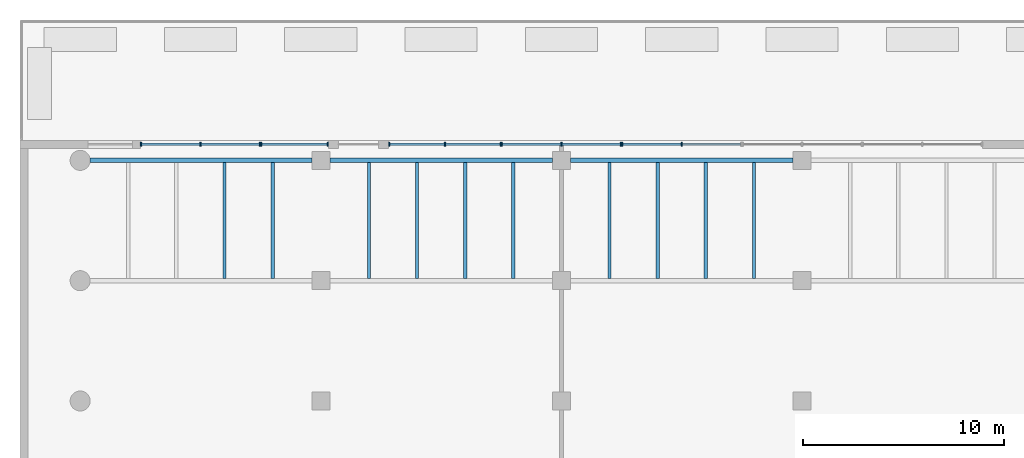
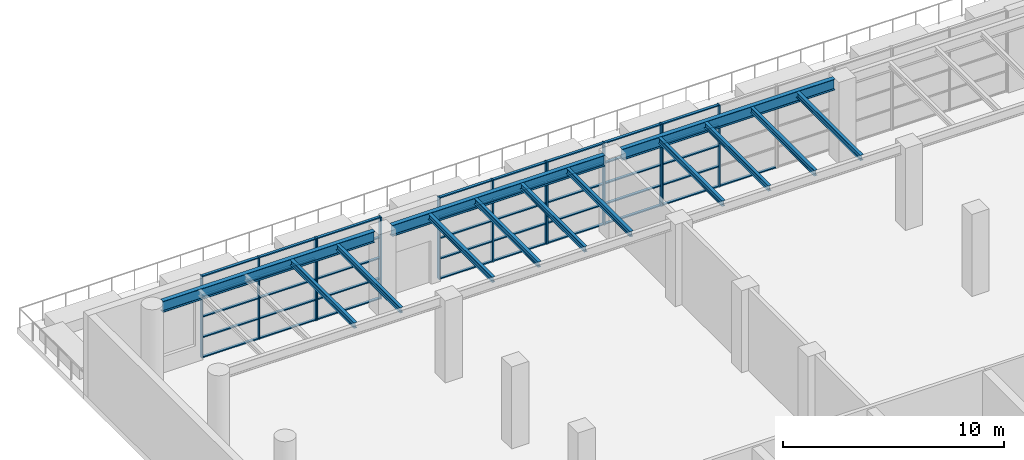
# One storey, part 2 of 20: 54 members, 13 beams, 5 elements without a shape of their own.
"""IFC4 building model written with IfcOpenShell, lengths in metres."""

from ifc_helpers import new_model, si_unit, direction, frame, origin, origin_2d, place, context, subcontext, project, spatial, rectangle, i_section, extrude, source, transform, mapped, material, layer, layer_set, material_profile, profile_set, type_object, element, aggregate, save


model = new_model("IFC4")

# Units and contexts
model_context = context("Model", 3, precision=1e-05, world=origin(), true_north=direction((0.0, 1.0)))
body_context = subcontext(model_context, "Body", "Model", "MODEL_VIEW")
ifc_project = project(units=[si_unit("LENGTHUNIT", "METRE"), si_unit("AREAUNIT", "SQUARE_METRE"), si_unit("VOLUMEUNIT", "CUBIC_METRE"), si_unit("PLANEANGLEUNIT", "RADIAN"), si_unit("MASSUNIT", "GRAM", prefix="KILO")], contexts=[model_context])

# Site, building, storey
site_placement = place(None, origin())
site = spatial("IfcSite", under=ifc_project, at=site_placement, CompositionType="ELEMENT")
building_placement = place(site_placement, origin())
building = spatial("IfcBuilding", under=site, at=building_placement, Name="Poui Terraces", CompositionType="ELEMENT")
storey_placement = place(building_placement, frame((0.0, 0.0, 6.0)))
storey = spatial("IfcBuildingStorey", under=building, at=storey_placement, Name="L01", CompositionType="ELEMENT", Elevation=6.0)

# Curtain wall, members
ifc_material_1 = material(Name="Clear glass", Category="glass")
ifc_layer = layer(ifc_material_1, 0.199951171875)
ifc_layer_set = layer_set([ifc_layer], Name="Clear glass")
curtain_wall_type = type_object("IfcCurtainWallType", Name="CURTAIN WALL CW-A HEALTH CENTRE FRONTAGE", PredefinedType="NOTDEFINED", material=ifc_layer_set)
curtain_wall_1_placement = place(storey_placement, origin())
curtain_wall_1 = element("IfcCurtainWall", 1, at=curtain_wall_1_placement, inside=storey, type_object=curtain_wall_type, Name="CW-A HEALTH CENTRE FRONTAGE", PredefinedType="NOTDEFINED")
ifc_material_2 = material(Name="Aluminium frame", Category="aluminium")
ifc_material_profile_1 = material_profile(ifc_material_2, rectangle(XDim=0.199951171875, YDim=0.06005859375, at=origin_2d()), Name="CW-A MULLION 60X200")
ifc_profile_set_1 = profile_set([ifc_material_profile_1], Name="Aluminium frame")
member_type_1 = type_object("IfcMemberType", Name="CW-A MULLION 60X200", PredefinedType="MULLION", material=ifc_profile_set_1)
member_1_placement = place(storey_placement, frame((8.969970703125, 68.800048828125, 0.0), z_axis=(0.0, 0.0, 1.0), x_axis=(0.0, -1.0, 0.0)))
member_1 = element("IfcMember", 2, at=member_1_placement, type_object=member_type_1, Name="CW-A mullion 1", PredefinedType="MULLION", context=body_context, shape_type="SweptSolid", body=[
    extrude(rectangle(XDim=0.199951171875, YDim=0.06005859375, at=origin_2d()), origin(), (0.0, 0.0, 1.0), 4.52001953125),
])
member_2_placement = place(storey_placement, frame((6.0, 68.800048828125, 0.0), z_axis=(0.0, 0.0, 1.0), x_axis=(0.0, -1.0, 0.0)))
member_2 = element("IfcMember", 3, at=member_2_placement, type_object=member_type_1, Name="CW-A mullion 2", PredefinedType="MULLION", context=body_context, shape_type="SweptSolid", body=[
    extrude(rectangle(XDim=0.199951171875, YDim=0.06005859375, at=origin_2d()), origin(), (0.0, 0.0, 1.0), 4.52001953125),
])
member_3_placement = place(storey_placement, frame((3.030029296875, 68.800048828125, 0.0), z_axis=(0.0, 0.0, 1.0), x_axis=(0.0, -1.0, 0.0)))
member_3 = element("IfcMember", 4, at=member_3_placement, type_object=member_type_1, Name="CW-A mullion 3", PredefinedType="MULLION", context=body_context, shape_type="SweptSolid", body=[
    extrude(rectangle(XDim=0.199951171875, YDim=0.06005859375, at=origin_2d()), origin(), (0.0, 0.0, 1.0), 4.52001953125),
])

curtain_wall_2_placement = place(storey_placement, origin())
curtain_wall_2 = element("IfcCurtainWall", 5, at=curtain_wall_2_placement, inside=storey, type_object=curtain_wall_type, Name="CW-A HEALTH CENTRE FRONTAGE", PredefinedType="NOTDEFINED")
member_4_placement = place(storey_placement, frame((12.35009765625, 68.800048828125, 0.0), z_axis=(0.0, 0.0, 1.0), x_axis=(0.0, -1.0, 0.0)))
member_4 = element("IfcMember", 6, at=member_4_placement, type_object=member_type_1, Name="CW-A mullion 1", PredefinedType="MULLION", context=body_context, shape_type="SweptSolid", body=[
    extrude(rectangle(XDim=0.199951171875, YDim=0.06005859375, at=origin_2d()), origin(), (0.0, 0.0, 1.0), 4.52001953125),
])
member_5_placement = place(storey_placement, frame((9.030029296875, 68.800048828125, 0.0), z_axis=(0.0, 0.0, 1.0), x_axis=(0.0, -1.0, 0.0)))
member_5 = element("IfcMember", 7, at=member_5_placement, type_object=member_type_1, Name="CW-A mullion 2", PredefinedType="MULLION", context=body_context, shape_type="SweptSolid", body=[
    extrude(rectangle(XDim=0.199951171875, YDim=0.06005859375, at=origin_2d()), origin(), (0.0, 0.0, 1.0), 4.52001953125),
])

curtain_wall_3_placement = place(storey_placement, origin())
curtain_wall_3 = element("IfcCurtainWall", 8, at=curtain_wall_3_placement, inside=storey, type_object=curtain_wall_type, Name="CW-A HEALTH CENTRE FRONTAGE", PredefinedType="NOTDEFINED")
member_6_placement = place(storey_placement, frame((20.969970703125, 68.800048828125, 0.0), z_axis=(0.0, 0.0, 1.0), x_axis=(0.0, -1.0, 0.0)))
member_6 = element("IfcMember", 9, at=member_6_placement, type_object=member_type_1, Name="CW-A mullion 1", PredefinedType="MULLION", context=body_context, shape_type="SweptSolid", body=[
    extrude(rectangle(XDim=0.199951171875, YDim=0.06005859375, at=origin_2d()), origin(), (0.0, 0.0, 1.0), 4.52001953125),
])
member_7_placement = place(storey_placement, frame((18.18994140625, 68.800048828125, 0.0), z_axis=(0.0, 0.0, 1.0), x_axis=(0.0, -1.0, 0.0)))
member_7 = element("IfcMember", 10, at=member_7_placement, type_object=member_type_1, Name="CW-A mullion 2", PredefinedType="MULLION", context=body_context, shape_type="SweptSolid", body=[
    extrude(rectangle(XDim=0.199951171875, YDim=0.06005859375, at=origin_2d()), origin(), (0.0, 0.0, 1.0), 4.52001953125),
])
member_8_placement = place(storey_placement, frame((15.409912109375, 68.800048828125, 0.0), z_axis=(0.0, 0.0, 1.0), x_axis=(0.0, -1.0, 0.0)))
member_8 = element("IfcMember", 11, at=member_8_placement, type_object=member_type_1, Name="CW-A mullion 3", PredefinedType="MULLION", context=body_context, shape_type="SweptSolid", body=[
    extrude(rectangle(XDim=0.199951171875, YDim=0.06005859375, at=origin_2d()), origin(), (0.0, 0.0, 1.0), 4.52001953125),
])

curtain_wall_4_placement = place(storey_placement, origin())
curtain_wall_4 = element("IfcCurtainWall", 12, at=curtain_wall_4_placement, inside=storey, type_object=curtain_wall_type, Name="CW-A HEALTH CENTRE FRONTAGE", PredefinedType="NOTDEFINED")
member_9_placement = place(storey_placement, frame((26.969970703125, 68.800048828125, 0.0), z_axis=(0.0, 0.0, 1.0), x_axis=(0.0, -1.0, 0.0)))
member_9 = element("IfcMember", 13, at=member_9_placement, type_object=member_type_1, Name="CW-A mullion 1", PredefinedType="MULLION", context=body_context, shape_type="SweptSolid", body=[
    extrude(rectangle(XDim=0.199951171875, YDim=0.06005859375, at=origin_2d()), origin(), (0.0, 0.0, 1.0), 4.52001953125),
])
member_10_placement = place(storey_placement, frame((24.0, 68.800048828125, 0.0), z_axis=(0.0, 0.0, 1.0), x_axis=(0.0, -1.0, 0.0)))
member_10 = element("IfcMember", 14, at=member_10_placement, type_object=member_type_1, Name="CW-A mullion 2", PredefinedType="MULLION", context=body_context, shape_type="SweptSolid", body=[
    extrude(rectangle(XDim=0.199951171875, YDim=0.06005859375, at=origin_2d()), origin(), (0.0, 0.0, 1.0), 4.52001953125),
])
member_11_placement = place(storey_placement, frame((21.030029296875, 68.800048828125, 0.0), z_axis=(0.0, 0.0, 1.0), x_axis=(0.0, -1.0, 0.0)))
member_11 = element("IfcMember", 15, at=member_11_placement, type_object=member_type_1, Name="CW-A mullion 3", PredefinedType="MULLION", context=body_context, shape_type="SweptSolid", body=[
    extrude(rectangle(XDim=0.199951171875, YDim=0.06005859375, at=origin_2d()), origin(), (0.0, 0.0, 1.0), 4.52001953125),
])

curtain_wall_5_placement = place(storey_placement, origin())
curtain_wall_5 = element("IfcCurtainWall", 16, at=curtain_wall_5_placement, inside=storey, type_object=curtain_wall_type, Name="CW-A HEALTH CENTRE FRONTAGE", PredefinedType="NOTDEFINED")
member_12_placement = place(storey_placement, frame((30.0, 68.800048828125, 0.0), z_axis=(0.0, 0.0, 1.0), x_axis=(0.0, -1.0, 0.0)))
member_12 = element("IfcMember", 17, at=member_12_placement, type_object=member_type_1, Name="CW-A mullion 2", PredefinedType="MULLION", context=body_context, shape_type="SweptSolid", body=[
    extrude(rectangle(XDim=0.199951171875, YDim=0.06005859375, at=origin_2d()), origin(), (0.0, 0.0, 1.0), 4.52001953125),
])
member_13_placement = place(storey_placement, frame((27.030029296875, 68.800048828125, 0.0), z_axis=(0.0, 0.0, 1.0), x_axis=(0.0, -1.0, 0.0)))
member_13 = element("IfcMember", 18, at=member_13_placement, type_object=member_type_1, Name="CW-A mullion 3", PredefinedType="MULLION", context=body_context, shape_type="SweptSolid", body=[
    extrude(rectangle(XDim=0.199951171875, YDim=0.06005859375, at=origin_2d()), origin(), (0.0, 0.0, 1.0), 4.52001953125),
])

# Member
ifc_material_profile_2 = material_profile(ifc_material_2, rectangle(XDim=0.139892578125, YDim=0.06005859375, at=origin_2d()), Name="CW-A TRANSOM 60X140")
ifc_profile_set_2 = profile_set([ifc_material_profile_2], Name="Aluminium frame")
member_type_2 = type_object("IfcMemberType", Name="CW-A TRANSOM 60X140", PredefinedType="USERDEFINED", material=ifc_profile_set_2)
member_14_placement = place(storey_placement, frame((8.93994140625, 68.800048828125, 0.030029296875), z_axis=(-1.0, 0.0, 0.0), x_axis=(0.0, -1.0, 0.0)))
member_14 = element("IfcMember", 19, at=member_14_placement, type_object=member_type_2, Name="CW-A transom 1.1", ObjectType="TRANSOM", PredefinedType="USERDEFINED", context=body_context, shape_type="SweptSolid", body=[
    extrude(rectangle(XDim=0.139892578125, YDim=0.06005859375, at=origin_2d()), origin(), (0.0, 0.0, 1.0), 2.909912109375),
])

member_15_placement = place(storey_placement, frame((8.93994140625, 68.800048828125, 1.1298828125), z_axis=(-1.0, 0.0, 0.0), x_axis=(0.0, -1.0, 0.0)))
member_15 = element("IfcMember", 20, at=member_15_placement, type_object=member_type_2, Name="CW-A transom 1.2", ObjectType="TRANSOM", PredefinedType="USERDEFINED", context=body_context, shape_type="SweptSolid", body=[
    extrude(rectangle(XDim=0.139892578125, YDim=0.06005859375, at=origin_2d()), origin(), (0.0, 0.0, 1.0), 2.909912109375),
])

member_16_placement = place(storey_placement, frame((8.93994140625, 68.800048828125, 2.260009765625), z_axis=(-1.0, 0.0, 0.0), x_axis=(0.0, -1.0, 0.0)))
member_16 = element("IfcMember", 21, at=member_16_placement, type_object=member_type_2, Name="CW-A transom 1.3", ObjectType="TRANSOM", PredefinedType="USERDEFINED", context=body_context, shape_type="SweptSolid", body=[
    extrude(rectangle(XDim=0.139892578125, YDim=0.06005859375, at=origin_2d()), origin(), (0.0, 0.0, 1.0), 2.909912109375),
])

member_17_placement = place(storey_placement, frame((8.93994140625, 68.800048828125, 3.389892578125), z_axis=(-1.0, 0.0, 0.0), x_axis=(0.0, -1.0, 0.0)))
member_17 = element("IfcMember", 22, at=member_17_placement, type_object=member_type_2, Name="CW-A transom 1.4", ObjectType="TRANSOM", PredefinedType="USERDEFINED", context=body_context, shape_type="SweptSolid", body=[
    extrude(rectangle(XDim=0.139892578125, YDim=0.06005859375, at=origin_2d()), origin(), (0.0, 0.0, 1.0), 2.909912109375),
])

member_18_placement = place(storey_placement, frame((8.93994140625, 68.800048828125, 4.489990234375), z_axis=(-1.0, 0.0, 0.0), x_axis=(0.0, -1.0, 0.0)))
member_18 = element("IfcMember", 23, at=member_18_placement, type_object=member_type_2, Name="CW-A transom 1.5", ObjectType="TRANSOM", PredefinedType="USERDEFINED", context=body_context, shape_type="SweptSolid", body=[
    extrude(rectangle(XDim=0.139892578125, YDim=0.06005859375, at=origin_2d()), origin(), (0.0, 0.0, 1.0), 2.909912109375),
])

member_19_placement = place(storey_placement, frame((5.969970703125, 68.800048828125, 0.030029296875), z_axis=(-1.0, 0.0, 0.0), x_axis=(0.0, -1.0, 0.0)))
member_19 = element("IfcMember", 24, at=member_19_placement, type_object=member_type_2, Name="CW-A transom 2.1", ObjectType="TRANSOM", PredefinedType="USERDEFINED", context=body_context, shape_type="SweptSolid", body=[
    extrude(rectangle(XDim=0.139892578125, YDim=0.06005859375, at=origin_2d()), origin(), (0.0, 0.0, 1.0), 2.909912109375),
])

member_20_placement = place(storey_placement, frame((5.969970703125, 68.800048828125, 1.1298828125), z_axis=(-1.0, 0.0, 0.0), x_axis=(0.0, -1.0, 0.0)))
member_20 = element("IfcMember", 25, at=member_20_placement, type_object=member_type_2, Name="CW-A transom 2.2", ObjectType="TRANSOM", PredefinedType="USERDEFINED", context=body_context, shape_type="SweptSolid", body=[
    extrude(rectangle(XDim=0.139892578125, YDim=0.06005859375, at=origin_2d()), origin(), (0.0, 0.0, 1.0), 2.909912109375),
])

member_21_placement = place(storey_placement, frame((5.969970703125, 68.800048828125, 2.260009765625), z_axis=(-1.0, 0.0, 0.0), x_axis=(0.0, -1.0, 0.0)))
member_21 = element("IfcMember", 26, at=member_21_placement, type_object=member_type_2, Name="CW-A transom 2.3", ObjectType="TRANSOM", PredefinedType="USERDEFINED", context=body_context, shape_type="SweptSolid", body=[
    extrude(rectangle(XDim=0.139892578125, YDim=0.06005859375, at=origin_2d()), origin(), (0.0, 0.0, 1.0), 2.909912109375),
])

member_22_placement = place(storey_placement, frame((5.969970703125, 68.800048828125, 3.389892578125), z_axis=(-1.0, 0.0, 0.0), x_axis=(0.0, -1.0, 0.0)))
member_22 = element("IfcMember", 27, at=member_22_placement, type_object=member_type_2, Name="CW-A transom 2.4", ObjectType="TRANSOM", PredefinedType="USERDEFINED", context=body_context, shape_type="SweptSolid", body=[
    extrude(rectangle(XDim=0.139892578125, YDim=0.06005859375, at=origin_2d()), origin(), (0.0, 0.0, 1.0), 2.909912109375),
])

member_23_placement = place(storey_placement, frame((5.969970703125, 68.800048828125, 4.489990234375), z_axis=(-1.0, 0.0, 0.0), x_axis=(0.0, -1.0, 0.0)))
member_23 = element("IfcMember", 28, at=member_23_placement, type_object=member_type_2, Name="CW-A transom 2.5", ObjectType="TRANSOM", PredefinedType="USERDEFINED", context=body_context, shape_type="SweptSolid", body=[
    extrude(rectangle(XDim=0.139892578125, YDim=0.06005859375, at=origin_2d()), origin(), (0.0, 0.0, 1.0), 2.909912109375),
])

aggregate(curtain_wall_1, [member_1, member_2, member_3, member_14, member_15, member_16, member_17, member_18, member_19, member_20, member_21, member_22, member_23])

member_24_placement = place(storey_placement, frame((12.320068359375, 68.800048828125, 0.030029296875), z_axis=(-1.0, 0.0, 0.0), x_axis=(0.0, -1.0, 0.0)))
member_24 = element("IfcMember", 29, at=member_24_placement, type_object=member_type_2, Name="CW-A transom 1.1", ObjectType="TRANSOM", PredefinedType="USERDEFINED", context=body_context, shape_type="SweptSolid", body=[
    extrude(rectangle(XDim=0.139892578125, YDim=0.06005859375, at=origin_2d()), origin(), (0.0, 0.0, 1.0), 3.260009765625),
])

member_25_placement = place(storey_placement, frame((12.320068359375, 68.800048828125, 1.1298828125), z_axis=(-1.0, 0.0, 0.0), x_axis=(0.0, -1.0, 0.0)))
member_25 = element("IfcMember", 30, at=member_25_placement, type_object=member_type_2, Name="CW-A transom 1.2", ObjectType="TRANSOM", PredefinedType="USERDEFINED", context=body_context, shape_type="SweptSolid", body=[
    extrude(rectangle(XDim=0.139892578125, YDim=0.06005859375, at=origin_2d()), origin(), (0.0, 0.0, 1.0), 3.260009765625),
])

member_26_placement = place(storey_placement, frame((12.320068359375, 68.800048828125, 2.260009765625), z_axis=(-1.0, 0.0, 0.0), x_axis=(0.0, -1.0, 0.0)))
member_26 = element("IfcMember", 31, at=member_26_placement, type_object=member_type_2, Name="CW-A transom 1.3", ObjectType="TRANSOM", PredefinedType="USERDEFINED", context=body_context, shape_type="SweptSolid", body=[
    extrude(rectangle(XDim=0.139892578125, YDim=0.06005859375, at=origin_2d()), origin(), (0.0, 0.0, 1.0), 3.260009765625),
])

member_27_placement = place(storey_placement, frame((12.320068359375, 68.800048828125, 3.389892578125), z_axis=(-1.0, 0.0, 0.0), x_axis=(0.0, -1.0, 0.0)))
member_27 = element("IfcMember", 32, at=member_27_placement, type_object=member_type_2, Name="CW-A transom 1.4", ObjectType="TRANSOM", PredefinedType="USERDEFINED", context=body_context, shape_type="SweptSolid", body=[
    extrude(rectangle(XDim=0.139892578125, YDim=0.06005859375, at=origin_2d()), origin(), (0.0, 0.0, 1.0), 3.260009765625),
])

member_28_placement = place(storey_placement, frame((12.320068359375, 68.800048828125, 4.489990234375), z_axis=(-1.0, 0.0, 0.0), x_axis=(0.0, -1.0, 0.0)))
member_28 = element("IfcMember", 33, at=member_28_placement, type_object=member_type_2, Name="CW-A transom 1.5", ObjectType="TRANSOM", PredefinedType="USERDEFINED", context=body_context, shape_type="SweptSolid", body=[
    extrude(rectangle(XDim=0.139892578125, YDim=0.06005859375, at=origin_2d()), origin(), (0.0, 0.0, 1.0), 3.260009765625),
])

aggregate(curtain_wall_2, [member_4, member_5, member_24, member_25, member_26, member_27, member_28])

member_29_placement = place(storey_placement, frame((20.93994140625, 68.800048828125, 0.030029296875), z_axis=(-1.0, 0.0, 0.0), x_axis=(0.0, -1.0, 0.0)))
member_29 = element("IfcMember", 34, at=member_29_placement, type_object=member_type_2, Name="CW-A transom 1.1", ObjectType="TRANSOM", PredefinedType="USERDEFINED", context=body_context, shape_type="SweptSolid", body=[
    extrude(rectangle(XDim=0.139892578125, YDim=0.06005859375, at=origin_2d()), origin(), (0.0, 0.0, 1.0), 2.719970703125),
])

member_30_placement = place(storey_placement, frame((20.93994140625, 68.800048828125, 1.1298828125), z_axis=(-1.0, 0.0, 0.0), x_axis=(0.0, -1.0, 0.0)))
member_30 = element("IfcMember", 35, at=member_30_placement, type_object=member_type_2, Name="CW-A transom 1.2", ObjectType="TRANSOM", PredefinedType="USERDEFINED", context=body_context, shape_type="SweptSolid", body=[
    extrude(rectangle(XDim=0.139892578125, YDim=0.06005859375, at=origin_2d()), origin(), (0.0, 0.0, 1.0), 2.719970703125),
])

member_31_placement = place(storey_placement, frame((20.93994140625, 68.800048828125, 2.260009765625), z_axis=(-1.0, 0.0, 0.0), x_axis=(0.0, -1.0, 0.0)))
member_31 = element("IfcMember", 36, at=member_31_placement, type_object=member_type_2, Name="CW-A transom 1.3", ObjectType="TRANSOM", PredefinedType="USERDEFINED", context=body_context, shape_type="SweptSolid", body=[
    extrude(rectangle(XDim=0.139892578125, YDim=0.06005859375, at=origin_2d()), origin(), (0.0, 0.0, 1.0), 2.719970703125),
])

member_32_placement = place(storey_placement, frame((20.93994140625, 68.800048828125, 3.389892578125), z_axis=(-1.0, 0.0, 0.0), x_axis=(0.0, -1.0, 0.0)))
member_32 = element("IfcMember", 37, at=member_32_placement, type_object=member_type_2, Name="CW-A transom 1.4", ObjectType="TRANSOM", PredefinedType="USERDEFINED", context=body_context, shape_type="SweptSolid", body=[
    extrude(rectangle(XDim=0.139892578125, YDim=0.06005859375, at=origin_2d()), origin(), (0.0, 0.0, 1.0), 2.719970703125),
])

member_33_placement = place(storey_placement, frame((20.93994140625, 68.800048828125, 4.489990234375), z_axis=(-1.0, 0.0, 0.0), x_axis=(0.0, -1.0, 0.0)))
member_33 = element("IfcMember", 38, at=member_33_placement, type_object=member_type_2, Name="CW-A transom 1.5", ObjectType="TRANSOM", PredefinedType="USERDEFINED", context=body_context, shape_type="SweptSolid", body=[
    extrude(rectangle(XDim=0.139892578125, YDim=0.06005859375, at=origin_2d()), origin(), (0.0, 0.0, 1.0), 2.719970703125),
])

member_34_placement = place(storey_placement, frame((18.159912109375, 68.800048828125, 0.030029296875), z_axis=(-1.0, 0.0, 0.0), x_axis=(0.0, -1.0, 0.0)))
member_34 = element("IfcMember", 39, at=member_34_placement, type_object=member_type_2, Name="CW-A transom 2.1", ObjectType="TRANSOM", PredefinedType="USERDEFINED", context=body_context, shape_type="SweptSolid", body=[
    extrude(rectangle(XDim=0.139892578125, YDim=0.06005859375, at=origin_2d()), origin(), (0.0, 0.0, 1.0), 2.719970703125),
])

member_35_placement = place(storey_placement, frame((18.159912109375, 68.800048828125, 1.1298828125), z_axis=(-1.0, 0.0, 0.0), x_axis=(0.0, -1.0, 0.0)))
member_35 = element("IfcMember", 40, at=member_35_placement, type_object=member_type_2, Name="CW-A transom 2.2", ObjectType="TRANSOM", PredefinedType="USERDEFINED", context=body_context, shape_type="SweptSolid", body=[
    extrude(rectangle(XDim=0.139892578125, YDim=0.06005859375, at=origin_2d()), origin(), (0.0, 0.0, 1.0), 2.719970703125),
])

member_36_placement = place(storey_placement, frame((18.159912109375, 68.800048828125, 2.260009765625), z_axis=(-1.0, 0.0, 0.0), x_axis=(0.0, -1.0, 0.0)))
member_36 = element("IfcMember", 41, at=member_36_placement, type_object=member_type_2, Name="CW-A transom 2.3", ObjectType="TRANSOM", PredefinedType="USERDEFINED", context=body_context, shape_type="SweptSolid", body=[
    extrude(rectangle(XDim=0.139892578125, YDim=0.06005859375, at=origin_2d()), origin(), (0.0, 0.0, 1.0), 2.719970703125),
])

member_37_placement = place(storey_placement, frame((18.159912109375, 68.800048828125, 3.389892578125), z_axis=(-1.0, 0.0, 0.0), x_axis=(0.0, -1.0, 0.0)))
member_37 = element("IfcMember", 42, at=member_37_placement, type_object=member_type_2, Name="CW-A transom 2.4", ObjectType="TRANSOM", PredefinedType="USERDEFINED", context=body_context, shape_type="SweptSolid", body=[
    extrude(rectangle(XDim=0.139892578125, YDim=0.06005859375, at=origin_2d()), origin(), (0.0, 0.0, 1.0), 2.719970703125),
])

member_38_placement = place(storey_placement, frame((18.159912109375, 68.800048828125, 4.489990234375), z_axis=(-1.0, 0.0, 0.0), x_axis=(0.0, -1.0, 0.0)))
member_38 = element("IfcMember", 43, at=member_38_placement, type_object=member_type_2, Name="CW-A transom 2.5", ObjectType="TRANSOM", PredefinedType="USERDEFINED", context=body_context, shape_type="SweptSolid", body=[
    extrude(rectangle(XDim=0.139892578125, YDim=0.06005859375, at=origin_2d()), origin(), (0.0, 0.0, 1.0), 2.719970703125),
])

aggregate(curtain_wall_3, [member_6, member_7, member_8, member_29, member_30, member_31, member_32, member_33, member_34, member_35, member_36, member_37, member_38])

member_39_placement = place(storey_placement, frame((26.93994140625, 68.800048828125, 0.030029296875), z_axis=(-1.0, 0.0, 0.0), x_axis=(0.0, -1.0, 0.0)))
member_39 = element("IfcMember", 44, at=member_39_placement, type_object=member_type_2, Name="CW-A transom 1.1", ObjectType="TRANSOM", PredefinedType="USERDEFINED", context=body_context, shape_type="SweptSolid", body=[
    extrude(rectangle(XDim=0.139892578125, YDim=0.06005859375, at=origin_2d()), origin(), (0.0, 0.0, 1.0), 2.909912109375),
])

member_40_placement = place(storey_placement, frame((26.93994140625, 68.800048828125, 1.1298828125), z_axis=(-1.0, 0.0, 0.0), x_axis=(0.0, -1.0, 0.0)))
member_40 = element("IfcMember", 45, at=member_40_placement, type_object=member_type_2, Name="CW-A transom 1.2", ObjectType="TRANSOM", PredefinedType="USERDEFINED", context=body_context, shape_type="SweptSolid", body=[
    extrude(rectangle(XDim=0.139892578125, YDim=0.06005859375, at=origin_2d()), origin(), (0.0, 0.0, 1.0), 2.909912109375),
])

member_41_placement = place(storey_placement, frame((26.93994140625, 68.800048828125, 2.260009765625), z_axis=(-1.0, 0.0, 0.0), x_axis=(0.0, -1.0, 0.0)))
member_41 = element("IfcMember", 46, at=member_41_placement, type_object=member_type_2, Name="CW-A transom 1.3", ObjectType="TRANSOM", PredefinedType="USERDEFINED", context=body_context, shape_type="SweptSolid", body=[
    extrude(rectangle(XDim=0.139892578125, YDim=0.06005859375, at=origin_2d()), origin(), (0.0, 0.0, 1.0), 2.909912109375),
])

member_42_placement = place(storey_placement, frame((26.93994140625, 68.800048828125, 3.389892578125), z_axis=(-1.0, 0.0, 0.0), x_axis=(0.0, -1.0, 0.0)))
member_42 = element("IfcMember", 47, at=member_42_placement, type_object=member_type_2, Name="CW-A transom 1.4", ObjectType="TRANSOM", PredefinedType="USERDEFINED", context=body_context, shape_type="SweptSolid", body=[
    extrude(rectangle(XDim=0.139892578125, YDim=0.06005859375, at=origin_2d()), origin(), (0.0, 0.0, 1.0), 2.909912109375),
])

member_43_placement = place(storey_placement, frame((26.93994140625, 68.800048828125, 4.489990234375), z_axis=(-1.0, 0.0, 0.0), x_axis=(0.0, -1.0, 0.0)))
member_43 = element("IfcMember", 48, at=member_43_placement, type_object=member_type_2, Name="CW-A transom 1.5", ObjectType="TRANSOM", PredefinedType="USERDEFINED", context=body_context, shape_type="SweptSolid", body=[
    extrude(rectangle(XDim=0.139892578125, YDim=0.06005859375, at=origin_2d()), origin(), (0.0, 0.0, 1.0), 2.909912109375),
])

member_44_placement = place(storey_placement, frame((23.969970703125, 68.800048828125, 0.030029296875), z_axis=(-1.0, 0.0, 0.0), x_axis=(0.0, -1.0, 0.0)))
member_44 = element("IfcMember", 49, at=member_44_placement, type_object=member_type_2, Name="CW-A transom 2.1", ObjectType="TRANSOM", PredefinedType="USERDEFINED", context=body_context, shape_type="SweptSolid", body=[
    extrude(rectangle(XDim=0.139892578125, YDim=0.06005859375, at=origin_2d()), origin(), (0.0, 0.0, 1.0), 2.909912109375),
])

member_45_placement = place(storey_placement, frame((23.969970703125, 68.800048828125, 1.1298828125), z_axis=(-1.0, 0.0, 0.0), x_axis=(0.0, -1.0, 0.0)))
member_45 = element("IfcMember", 50, at=member_45_placement, type_object=member_type_2, Name="CW-A transom 2.2", ObjectType="TRANSOM", PredefinedType="USERDEFINED", context=body_context, shape_type="SweptSolid", body=[
    extrude(rectangle(XDim=0.139892578125, YDim=0.06005859375, at=origin_2d()), origin(), (0.0, 0.0, 1.0), 2.909912109375),
])

member_46_placement = place(storey_placement, frame((23.969970703125, 68.800048828125, 2.260009765625), z_axis=(-1.0, 0.0, 0.0), x_axis=(0.0, -1.0, 0.0)))
member_46 = element("IfcMember", 51, at=member_46_placement, type_object=member_type_2, Name="CW-A transom 2.3", ObjectType="TRANSOM", PredefinedType="USERDEFINED", context=body_context, shape_type="SweptSolid", body=[
    extrude(rectangle(XDim=0.139892578125, YDim=0.06005859375, at=origin_2d()), origin(), (0.0, 0.0, 1.0), 2.909912109375),
])

member_47_placement = place(storey_placement, frame((23.969970703125, 68.800048828125, 3.389892578125), z_axis=(-1.0, 0.0, 0.0), x_axis=(0.0, -1.0, 0.0)))
member_47 = element("IfcMember", 52, at=member_47_placement, type_object=member_type_2, Name="CW-A transom 2.4", ObjectType="TRANSOM", PredefinedType="USERDEFINED", context=body_context, shape_type="SweptSolid", body=[
    extrude(rectangle(XDim=0.139892578125, YDim=0.06005859375, at=origin_2d()), origin(), (0.0, 0.0, 1.0), 2.909912109375),
])

member_48_placement = place(storey_placement, frame((23.969970703125, 68.800048828125, 4.489990234375), z_axis=(-1.0, 0.0, 0.0), x_axis=(0.0, -1.0, 0.0)))
member_48 = element("IfcMember", 53, at=member_48_placement, type_object=member_type_2, Name="CW-A transom 2.5", ObjectType="TRANSOM", PredefinedType="USERDEFINED", context=body_context, shape_type="SweptSolid", body=[
    extrude(rectangle(XDim=0.139892578125, YDim=0.06005859375, at=origin_2d()), origin(), (0.0, 0.0, 1.0), 2.909912109375),
])

aggregate(curtain_wall_4, [member_9, member_10, member_11, member_39, member_40, member_41, member_42, member_43, member_44, member_45, member_46, member_47, member_48])

member_49_placement = place(storey_placement, frame((32.93994140625, 68.800048828125, 0.030029296875), z_axis=(-1.0, 0.0, 0.0), x_axis=(0.0, -1.0, 0.0)))
member_49 = element("IfcMember", 54, at=member_49_placement, type_object=member_type_2, Name="CW-A transom 1.1", ObjectType="TRANSOM", PredefinedType="USERDEFINED", context=body_context, shape_type="SweptSolid", body=[
    extrude(rectangle(XDim=0.139892578125, YDim=0.06005859375, at=origin_2d()), origin(), (0.0, 0.0, 1.0), 2.909912109375),
])

member_50_placement = place(storey_placement, frame((29.969970703125, 68.800048828125, 0.030029296875), z_axis=(-1.0, 0.0, 0.0), x_axis=(0.0, -1.0, 0.0)))
member_50 = element("IfcMember", 55, at=member_50_placement, type_object=member_type_2, Name="CW-A transom 2.1", ObjectType="TRANSOM", PredefinedType="USERDEFINED", context=body_context, shape_type="SweptSolid", body=[
    extrude(rectangle(XDim=0.139892578125, YDim=0.06005859375, at=origin_2d()), origin(), (0.0, 0.0, 1.0), 2.909912109375),
])

member_51_placement = place(storey_placement, frame((29.969970703125, 68.800048828125, 1.1298828125), z_axis=(-1.0, 0.0, 0.0), x_axis=(0.0, -1.0, 0.0)))
member_51 = element("IfcMember", 56, at=member_51_placement, type_object=member_type_2, Name="CW-A transom 2.2", ObjectType="TRANSOM", PredefinedType="USERDEFINED", context=body_context, shape_type="SweptSolid", body=[
    extrude(rectangle(XDim=0.139892578125, YDim=0.06005859375, at=origin_2d()), origin(), (0.0, 0.0, 1.0), 2.909912109375),
])

member_52_placement = place(storey_placement, frame((29.969970703125, 68.800048828125, 2.260009765625), z_axis=(-1.0, 0.0, 0.0), x_axis=(0.0, -1.0, 0.0)))
member_52 = element("IfcMember", 57, at=member_52_placement, type_object=member_type_2, Name="CW-A transom 2.3", ObjectType="TRANSOM", PredefinedType="USERDEFINED", context=body_context, shape_type="SweptSolid", body=[
    extrude(rectangle(XDim=0.139892578125, YDim=0.06005859375, at=origin_2d()), origin(), (0.0, 0.0, 1.0), 2.909912109375),
])

member_53_placement = place(storey_placement, frame((29.969970703125, 68.800048828125, 3.389892578125), z_axis=(-1.0, 0.0, 0.0), x_axis=(0.0, -1.0, 0.0)))
member_53 = element("IfcMember", 58, at=member_53_placement, type_object=member_type_2, Name="CW-A transom 2.4", ObjectType="TRANSOM", PredefinedType="USERDEFINED", context=body_context, shape_type="SweptSolid", body=[
    extrude(rectangle(XDim=0.139892578125, YDim=0.06005859375, at=origin_2d()), origin(), (0.0, 0.0, 1.0), 2.909912109375),
])

member_54_placement = place(storey_placement, frame((29.969970703125, 68.800048828125, 4.489990234375), z_axis=(-1.0, 0.0, 0.0), x_axis=(0.0, -1.0, 0.0)))
member_54 = element("IfcMember", 59, at=member_54_placement, type_object=member_type_2, Name="CW-A transom 2.5", ObjectType="TRANSOM", PredefinedType="USERDEFINED", context=body_context, shape_type="SweptSolid", body=[
    extrude(rectangle(XDim=0.139892578125, YDim=0.06005859375, at=origin_2d()), origin(), (0.0, 0.0, 1.0), 2.909912109375),
])

aggregate(curtain_wall_5, [member_12, member_13, member_49, member_50, member_51, member_52, member_53, member_54])

# Beams
ifc_material_3 = material(Name="Steel Grade 300 MPa", Category="steel")
ifc_material_profile_3 = material_profile(ifc_material_3, i_section(OverallWidth=0.166015625, OverallDepth=0.30712890625, WebThickness=0.006591796875, FlangeThickness=0.01171875, FilletRadius=0.011474609375, at=origin_2d()), Name="310UB46.2")
ifc_profile_set_3 = profile_set([ifc_material_profile_3], Name="Steel Grade 300 MPa")
beam_type_1 = type_object("IfcBeamType", Name="TERRACE BEAM 310UB46.2", PredefinedType="BEAM", material=ifc_profile_set_3)
shared_shape_1 = source(origin(), body_context, "Body", "SweptSolid", [
    extrude(i_section(OverallWidth=0.166015625, OverallDepth=0.30712890625, WebThickness=0.006591796875, FlangeThickness=0.01171875, FilletRadius=0.011474609375, at=origin_2d()), origin(), (0.0, 0.0, 1.0), 5.781005859375),
])
for number, where, z_axis, x_axis, name in (
    (60, (7.199951171875, 62.1044921875, 4.366455078125), (0.0, 1.0, 0.0), (-1.0, 0.0, 0.0), "TERRACE BEAM"),
    (61, (9.60009765625, 62.1044921875, 4.366455078125), (0.0, 1.0, 0.0), (-1.0, 0.0, 0.0), "TERRACE BEAM"),
    (62, (14.39990234375, 62.1044921875, 4.366455078125), (0.0, 1.0, 0.0), (-1.0, 0.0, 0.0), "TERRACE BEAM"),
    (63, (16.800048828125, 62.1044921875, 4.366455078125), (0.0, 1.0, 0.0), (-1.0, 0.0, 0.0), "TERRACE BEAM"),
    (64, (19.199951171875, 62.1044921875, 4.366455078125), (0.0, 1.0, 0.0), (-1.0, 0.0, 0.0), "TERRACE BEAM"),
    (65, (21.60009765625, 62.1044921875, 4.366455078125), (0.0, 1.0, 0.0), (-1.0, 0.0, 0.0), "TERRACE BEAM"),
    (66, (26.39990234375, 62.1044921875, 4.366455078125), (0.0, 1.0, 0.0), (-1.0, 0.0, 0.0), "TERRACE BEAM"),
    (67, (28.800048828125, 62.1044921875, 4.366455078125), (0.0, 1.0, 0.0), (-1.0, 0.0, 0.0), "TERRACE BEAM"),
    (68, (31.199951171875, 62.1044921875, 4.366455078125), (0.0, 1.0, 0.0), (-1.0, 0.0, 0.0), "TERRACE BEAM"),
    (69, (33.60009765625, 62.1044921875, 4.366455078125), (0.0, 1.0, 0.0), (-1.0, 0.0, 0.0), "TERRACE BEAM"),
):
    element("IfcBeam", number, at=place(storey_placement, frame(where, z_axis=z_axis, x_axis=x_axis)), inside=storey, type_object=beam_type_1, Name=name, PredefinedType="BEAM", context=body_context, shape_type="MappedRepresentation", body=[
        mapped(shared_shape_1, transform((0.0, 0.0, 0.0))),
    ])
ifc_material_profile_4 = material_profile(ifc_material_3, i_section(OverallWidth=0.22900390625, OverallDepth=0.611572265625, WebThickness=0.011962890625, FlangeThickness=0.01953125, FilletRadius=0.013916015625, at=origin_2d()), Name="610UB125")
ifc_profile_set_4 = profile_set([ifc_material_profile_4], Name="Steel Grade 300 MPa")
beam_type_2 = type_object("IfcBeamType", Name="TERRACE GIRDER 610UB125", PredefinedType="BEAM", material=ifc_profile_set_4)
shared_shape_2 = source(origin(), body_context, "Body", "SweptSolid", [
    extrude(i_section(OverallWidth=0.22900390625, OverallDepth=0.611572265625, WebThickness=0.011962890625, FlangeThickness=0.01953125, FilletRadius=0.013916015625, at=origin_2d()), origin(), (0.0, 0.0, 1.0), 11.050048828125),
])
beam_placement = place(storey_placement, frame((0.5, 68.0, 4.214111328125), z_axis=(1.0, 0.0, 0.0), x_axis=(0.0, 1.0, 0.0)))
element("IfcBeam", 70, at=beam_placement, inside=storey, type_object=beam_type_2, Name="TERRACE GIRDER", PredefinedType="BEAM", context=body_context, shape_type="MappedRepresentation", body=[
    mapped(shared_shape_2, transform((0.0, 0.0, 0.0))),
])
shared_shape_3 = source(origin(), body_context, "Body", "SweptSolid", [
    extrude(i_section(OverallWidth=0.22900390625, OverallDepth=0.611572265625, WebThickness=0.011962890625, FlangeThickness=0.01953125, FilletRadius=0.013916015625, at=origin_2d()), origin(), (0.0, 0.0, 1.0), 11.10009765625),
])
for number, where, z_axis, x_axis, name in (
    (71, (12.449951171875, 68.0, 4.214111328125), (1.0, 0.0, 0.0), (0.0, 1.0, 0.0), "TERRACE GIRDER"),
    (72, (24.449951171875, 68.0, 4.214111328125), (1.0, 0.0, 0.0), (0.0, 1.0, 0.0), "TERRACE GIRDER"),
):
    element("IfcBeam", number, at=place(storey_placement, frame(where, z_axis=z_axis, x_axis=x_axis)), inside=storey, type_object=beam_type_2, Name=name, PredefinedType="BEAM", context=body_context, shape_type="MappedRepresentation", body=[
        mapped(shared_shape_3, transform((0.0, 0.0, 0.0))),
    ])

save(model, "model.ifc")
